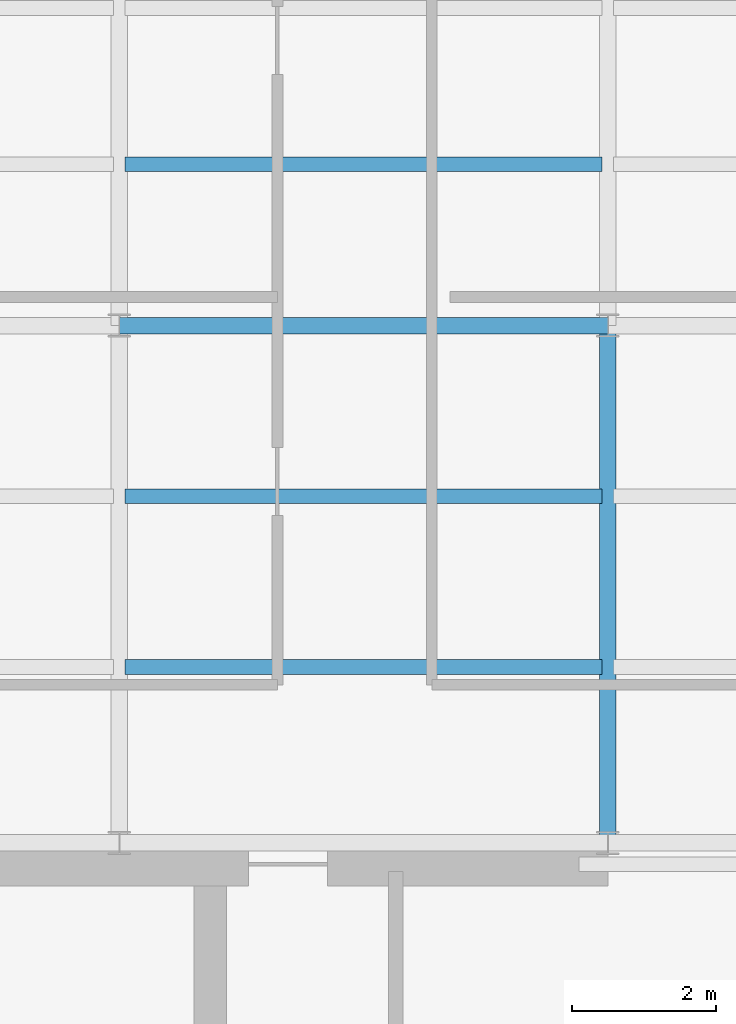
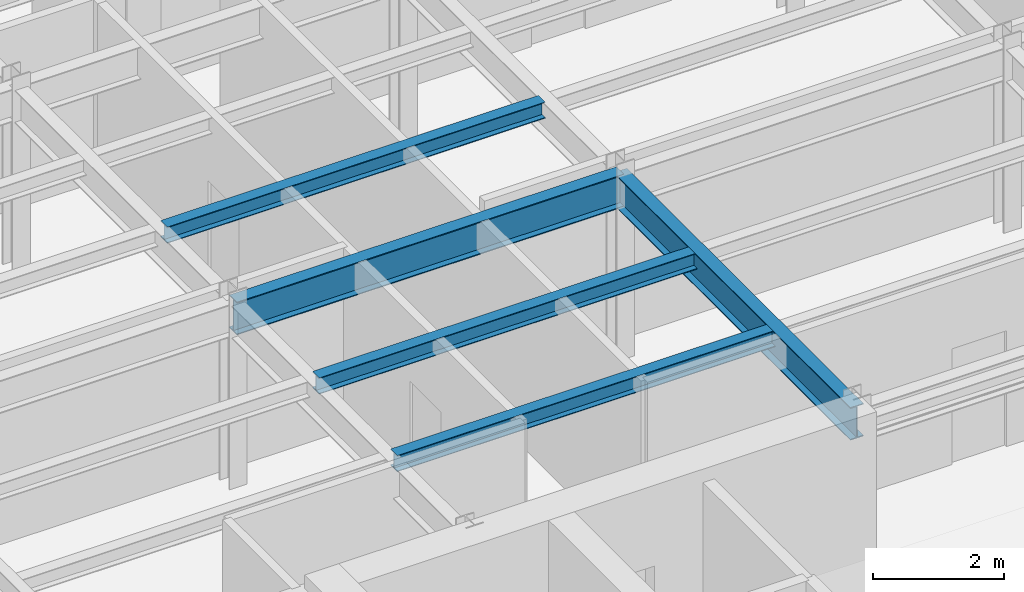
# One storey, part 6 of 22: 5 beams.
"""IFC4 building model written with IfcOpenShell, lengths in metres."""

import ifcopenshell
import ifcopenshell.guid

model = None  # the IFC model being written
_history = None  # IfcOwnerHistory: only IFC2X3 demands one
_inside = {}  # id of a spatial element -> (the spatial element, [elements in it])
_under = {}  # id of a project, library or spatial element -> (it, [spatial elements below it])
_declared = {}  # id of a project -> (the project, [libraries it declares])
_typed = {}  # id of a type object -> (the type object, [elements of that type])
_made_of = {}  # id of a material, layer set ... -> (it, [elements and type objects made of it])


def new_model(schema):
    """Start an empty IFC model of exactly this schema.

    Asked for "IFC4X3", IfcOpenShell would pick the latest addendum, in which some entities
    have other attributes; the version numbers below select the first issue.
    IFC2X3 requires an IfcOwnerHistory on every rooted entity: one is made here for all.
    """
    global model, _history
    if schema == "IFC4X3":
        model = ifcopenshell.file(schema_version=(4, 3, 0, 0))
    else:
        model = ifcopenshell.file(schema=schema)
    _inside.clear()
    _under.clear()
    _declared.clear()
    _typed.clear()
    _made_of.clear()
    _history = None
    if model.schema == "IFC2X3":
        org = make("IfcOrganization", Name="unknown")
        user = make(
            "IfcPersonAndOrganization",
            ThePerson=make("IfcPerson", FamilyName="unknown"),
            TheOrganization=org,
        )
        app = make(
            "IfcApplication",
            ApplicationDeveloper=org,
            Version="unknown",
            ApplicationFullName="unknown",
            ApplicationIdentifier="unknown",
        )
        _history = make(
            "IfcOwnerHistory",
            OwningUser=user,
            OwningApplication=app,
            ChangeAction="ADDED",
            CreationDate=0,
        )
    return model


def make(cls, **values):
    """One entity of the class cls with the attributes given. An attribute that is None is left unset."""
    return model.create_entity(
        cls, **{name: value for name, value in values.items() if value is not None}
    )


def rooted(cls, **values):
    """An entity with a GlobalId (a new one), such as an element, a storey or a relation."""
    return make(cls, GlobalId=ifcopenshell.guid.new(), OwnerHistory=_history, **values)


def si_unit(unit_type, name, prefix=None):
    """IfcSIUnit, for example si_unit("LENGTHUNIT", "METRE", prefix="MILLI")."""
    return make("IfcSIUnit", UnitType=unit_type, Prefix=prefix, Name=name)


def derived_unit(unit_type, elements):
    """IfcDerivedUnit: a product of units, each with its exponent."""
    return make(
        "IfcDerivedUnit",
        Elements=[
            make("IfcDerivedUnitElement", Unit=unit, Exponent=power)
            for unit, power in elements
        ],
        UnitType=unit_type,
    )


def assignment(units):
    """IfcUnitAssignment: the units of a project."""
    return None if units is None else make("IfcUnitAssignment", Units=units)


def point(xyz):
    """IfcCartesianPoint."""
    return None if xyz is None else make("IfcCartesianPoint", Coordinates=xyz)


def direction(xyz):
    """IfcDirection."""
    return None if xyz is None else make("IfcDirection", DirectionRatios=xyz)


def frame(location, z_axis=None, x_axis=None):
    """IfcAxis2Placement3D, a coordinate frame: its origin and axes. An axis left out is left unset."""
    return make(
        "IfcAxis2Placement3D",
        Location=point(location),
        Axis=direction(z_axis),
        RefDirection=direction(x_axis),
    )


def frame_2d(location, x_axis=None):
    """IfcAxis2Placement2D, a coordinate frame in the plane: its origin and x axis."""
    return make(
        "IfcAxis2Placement2D", Location=point(location), RefDirection=direction(x_axis)
    )


def origin():
    """The frame at (0, 0, 0) with its axes left unset."""
    return frame((0.0, 0.0, 0.0))


def origin_2d():
    """The frame at (0, 0) in the plane with its x axis left unset."""
    return frame_2d((0.0, 0.0))


def place(relative_to, where):
    """IfcLocalPlacement: puts the frame where relative to a parent placement (None: the world)."""
    return make(
        "IfcLocalPlacement", PlacementRelTo=relative_to, RelativePlacement=where
    )


def context(
    kind, dimensions, precision=None, world=None, true_north=None, identifier=None
):
    """IfcGeometricRepresentationContext, for example the 3D "Model" context."""
    return make(
        "IfcGeometricRepresentationContext",
        ContextIdentifier=identifier,
        ContextType=kind,
        CoordinateSpaceDimension=dimensions,
        Precision=precision,
        WorldCoordinateSystem=world,
        TrueNorth=true_north,
    )


def subcontext(parent, identifier, kind, view, scale=None):
    """IfcGeometricRepresentationSubContext, for example "Body" below "Model"."""
    return make(
        "IfcGeometricRepresentationSubContext",
        ContextIdentifier=identifier,
        ContextType=kind,
        ParentContext=parent,
        TargetScale=scale,
        TargetView=view,
    )


def project(units=None, contexts=None):
    """IfcProject with its units and contexts."""
    return rooted(
        "IfcProject",
        Name="project",
        RepresentationContexts=contexts,
        UnitsInContext=assignment(units),
    )


def spatial(cls, under=None, at=None, **own):
    """A site, building, storey or space (cls), placed at a placement, below another one or the project."""
    s = rooted(cls, ObjectPlacement=at, **own)
    if under is not None:
        _under.setdefault(under.id(), (under, []))[1].append(s)
    return s


def profile(cls, at=None, kind="AREA", **sizes):
    """A parametric profile (cls). Its sizes go by their IFC names, for example OverallWidth=200.0."""
    return make(cls, ProfileType=kind, Position=at, **sizes)


def i_section(**sizes):
    """IfcIShapeProfileDef."""
    return profile("IfcIShapeProfileDef", **sizes)


def extrude(swept, where, along, depth):
    """IfcExtrudedAreaSolid: the profile swept, set in the frame where, extruded along a direction by depth."""
    return make(
        "IfcExtrudedAreaSolid",
        SweptArea=swept,
        Position=where,
        ExtrudedDirection=direction(along),
        Depth=depth,
    )


def shape(context_of_items, identifier, shape_type, items):
    """IfcShapeRepresentation: the items that make up one representation, for example the "Body"."""
    return make(
        "IfcShapeRepresentation",
        ContextOfItems=context_of_items,
        RepresentationIdentifier=identifier,
        RepresentationType=shape_type,
        Items=items,
    )


def source(mapping_origin, context_of_items, identifier, shape_type, items):
    """IfcRepresentationMap: a shape defined once, which mapped items show again and again."""
    return make(
        "IfcRepresentationMap",
        MappingOrigin=mapping_origin,
        MappedRepresentation=shape(context_of_items, identifier, shape_type, items),
    )


def transform(
    local_origin,
    x_axis=None,
    y_axis=None,
    z_axis=None,
    scale=None,
    scale2=None,
    scale3=None,
    uniform=True,
):
    """IfcCartesianTransformationOperator3D, or its non-uniform kind. x_axis, y_axis, z_axis: its Axis1, 2, 3."""
    if uniform:
        return make(
            "IfcCartesianTransformationOperator3D",
            Axis1=direction(x_axis),
            Axis2=direction(y_axis),
            LocalOrigin=point(local_origin),
            Scale=scale,
            Axis3=direction(z_axis),
        )
    return make(
        "IfcCartesianTransformationOperator3DnonUniform",
        Axis1=direction(x_axis),
        Axis2=direction(y_axis),
        LocalOrigin=point(local_origin),
        Scale=scale,
        Axis3=direction(z_axis),
        Scale2=scale2,
        Scale3=scale3,
    )


def mapped(mapping_source, mapping_target):
    """IfcMappedItem: shows the shape of a source again, moved by a transform."""
    return make(
        "IfcMappedItem", MappingSource=mapping_source, MappingTarget=mapping_target
    )


def material(Name=None, Category=None):
    """IfcMaterial."""
    return make("IfcMaterial", Name=Name, Category=Category)


def material_profile(
    of_material, cross_section, Name=None, Category=None, Priority=None
):
    """IfcMaterialProfile: a cross section and its material."""
    return make(
        "IfcMaterialProfile",
        Name=Name,
        Material=of_material,
        Profile=cross_section,
        Priority=Priority,
        Category=Category,
    )


def profile_set(profiles, Name=None, composite=None):
    """IfcMaterialProfileSet."""
    return make(
        "IfcMaterialProfileSet",
        Name=Name,
        MaterialProfiles=profiles,
        CompositeProfile=composite,
    )


def made_of(thing, what):
    """Note that an element or type object is made of a material, layer set ...; save() writes the relation."""
    if what is not None:
        _made_of.setdefault(what.id(), (what, []))[1].append(thing)
    return thing


def type_object(cls, material=None, **own):
    """A type object (cls), such as IfcWallType, which elements share."""
    return made_of(rooted(cls, **own), material)


def element(
    cls,
    number,
    at=None,
    inside=None,
    cuts=None,
    type_object=None,
    material=None,
    context=None,
    identifier="Body",
    shape_type=None,
    held_by="IfcProductDefinitionShape",
    body=None,
    shapes=None,
    **own,
):
    """One element of the class cls, such as IfcWall. Its Tag is "e" and its number.

    at: its placement. inside: the storey or other place that contains it. cuts: it is an
    opening in that element (IfcRelVoidsElement). A single representation is given by context,
    identifier, shape_type and body (its items); several are given by shapes. held_by: the class
    of the entity that holds the representations. save() writes the other relations.
    """
    e = rooted(cls, Tag="e%d" % number, ObjectPlacement=at, **own)
    if body is not None:
        shapes = [shape(context, identifier, shape_type, body)]
    if shapes is not None:
        e.Representation = make(held_by, Representations=shapes)
    if inside is not None:
        _inside.setdefault(inside.id(), (inside, []))[1].append(e)
    if cuts is not None:
        rooted(
            "IfcRelVoidsElement", RelatingBuildingElement=cuts, RelatedOpeningElement=e
        )
    if type_object is not None:
        _typed.setdefault(type_object.id(), (type_object, []))[1].append(e)
    return made_of(e, material)


def aggregate(whole, parts):
    """IfcRelAggregates: a whole, such as a stair, and the parts it consists of."""
    return rooted("IfcRelAggregates", RelatingObject=whole, RelatedObjects=parts)


def save(model, path):
    """Write the relations noted so far, then the file.

    IfcRelAggregates (storeys below a building ...), IfcRelContainedInSpatialStructure (elements
    in a storey), IfcRelDefinesByType, IfcRelAssociatesMaterial and IfcRelDeclares: one each for
    every whole, place, type object, material and project.
    """
    for whole, parts in _under.values():
        aggregate(whole, parts)
    for where, things in _inside.values():
        rooted(
            "IfcRelContainedInSpatialStructure",
            RelatedElements=things,
            RelatingStructure=where,
        )
    for kind, things in _typed.values():
        rooted("IfcRelDefinesByType", RelatedObjects=things, RelatingType=kind)
    for what, things in _made_of.values():
        rooted("IfcRelAssociatesMaterial", RelatedObjects=things, RelatingMaterial=what)
    for by, libraries in _declared.values():
        rooted("IfcRelDeclares", RelatingContext=by, RelatedDefinitions=libraries)
    model.write(path)


model = new_model("IFC4")

# Units and contexts
model_context = context("Model", 3, precision=1e-05, world=origin(), true_north=direction((0.0, 1.0)))
body_context = subcontext(model_context, "Body", "Model", "MODEL_VIEW")
ifc_project = project(units=[si_unit("LENGTHUNIT", "METRE"), si_unit("AREAUNIT", "SQUARE_METRE"), si_unit("VOLUMEUNIT", "CUBIC_METRE"), si_unit("PLANEANGLEUNIT", "RADIAN"), si_unit("MASSUNIT", "GRAM", prefix="KILO"), derived_unit("THERMALTRANSMITTANCEUNIT", [(si_unit("POWERUNIT", "WATT"), 1), (si_unit("LENGTHUNIT", "METRE"), -2), (si_unit("THERMODYNAMICTEMPERATUREUNIT", "KELVIN"), -1)])], contexts=[model_context])

# Site, building, storey
site_placement = place(None, origin())
site = spatial("IfcSite", under=ifc_project, at=site_placement, CompositionType="ELEMENT")
building_placement = place(site_placement, origin())
building = spatial("IfcBuilding", under=site, at=building_placement, Name="Skarnbrae Concourse Arena and Tower", CompositionType="ELEMENT")
storey_placement = place(building_placement, frame((0.0, 0.0, 255.14990234375)))
storey = spatial("IfcBuildingStorey", under=building, at=storey_placement, Name="L66", CompositionType="ELEMENT", Elevation=255.14990234375)

# Beams
ifc_material = material(Name="Steel CSA G40.21 350W", Category="steel")
ifc_material_profile_1 = material_profile(ifc_material, i_section(OverallWidth=0.22802734375, OverallDepth=0.60791015625, WebThickness=0.01123046875, FlangeThickness=0.017333984375, at=origin_2d()), Name="W610X113")
ifc_profile_set_1 = profile_set([ifc_material_profile_1], Name="Steel CSA G40.21 350W")
beam_type_1 = type_object("IfcBeamType", Name="BM-GIRD-W610X113", PredefinedType="BEAM", material=ifc_profile_set_1)
shared_shape_1 = source(origin(), body_context, "Body", "SweptSolid", [
    extrude(i_section(OverallWidth=0.22802734375, OverallDepth=0.60791015625, WebThickness=0.01123046875, FlangeThickness=0.017333984375, at=origin_2d()), origin(), (0.0, 0.0, 1.0), 6.7998046875),
])
beam_1_placement = place(storey_placement, frame((7.60009765625, 21.199951171875, 3.09619140625), z_axis=(1.0, 0.0, 0.0), x_axis=(0.0, 1.0, 0.0)))
element("IfcBeam", 1, at=beam_1_placement, inside=storey, type_object=beam_type_1, Name="L66 Primary E-W girder Y21.2-2", PredefinedType="BEAM", context=body_context, shape_type="MappedRepresentation", body=[
    mapped(shared_shape_1, transform((0.0, 0.0, 0.0))),
])
shared_shape_2 = source(origin(), body_context, "Body", "SweptSolid", [
    extrude(i_section(OverallWidth=0.22802734375, OverallDepth=0.60791015625, WebThickness=0.01123046875, FlangeThickness=0.017333984375, at=origin_2d()), origin(), (0.0, 0.0, 1.0), 7.199951171875),
])
beam_2_placement = place(storey_placement, frame((14.39990234375, 14.0, 3.09619140625), z_axis=(0.0, 1.0, 0.0), x_axis=(-1.0, 0.0, 0.0)))
element("IfcBeam", 2, at=beam_2_placement, inside=storey, type_object=beam_type_1, Name="L66 Primary N-S girder X14.4-1", PredefinedType="BEAM", context=body_context, shape_type="MappedRepresentation", body=[
    mapped(shared_shape_2, transform((0.0, 0.0, 0.0))),
])
ifc_material_profile_2 = material_profile(ifc_material, i_section(OverallWidth=0.202880859375, OverallDepth=0.302978515625, WebThickness=0.007568359375, FlangeThickness=0.01318359375, at=origin_2d()), Name="W310X60")
ifc_profile_set_2 = profile_set([ifc_material_profile_2], Name="Steel CSA G40.21 350W")
beam_type_2 = type_object("IfcBeamType", Name="BM-JOIST-W310X60", PredefinedType="JOIST", material=ifc_profile_set_2)
shared_shape_3 = source(origin(), body_context, "Body", "SweptSolid", [
    extrude(i_section(OverallWidth=0.202880859375, OverallDepth=0.302978515625, WebThickness=0.007568359375, FlangeThickness=0.01318359375, at=origin_2d()), origin(), (0.0, 0.0, 1.0), 6.64013671875),
])
for number, where, z_axis, x_axis, name in (
    (3, (7.679931640625, 16.447998046875, 3.24853515625), (1.0, 0.0, 0.0), (0.0, 1.0, 0.0), "L66 Secondary floor joist 1.1.2"),
    (4, (7.679931640625, 18.823974609375, 3.24853515625), (1.0, 0.0, 0.0), (0.0, 1.0, 0.0), "L66 Secondary floor joist 1.2.2"),
    (5, (7.679931640625, 23.444091796875, 3.24853515625), (1.0, 0.0, 0.0), (0.0, 1.0, 0.0), "L66 Secondary floor joist 2.1.2"),
):
    element("IfcBeam", number, at=place(storey_placement, frame(where, z_axis=z_axis, x_axis=x_axis)), inside=storey, type_object=beam_type_2, Name=name, PredefinedType="JOIST", context=body_context, shape_type="MappedRepresentation", body=[
        mapped(shared_shape_3, transform((0.0, 0.0, 0.0))),
    ])

save(model, "model.ifc")
